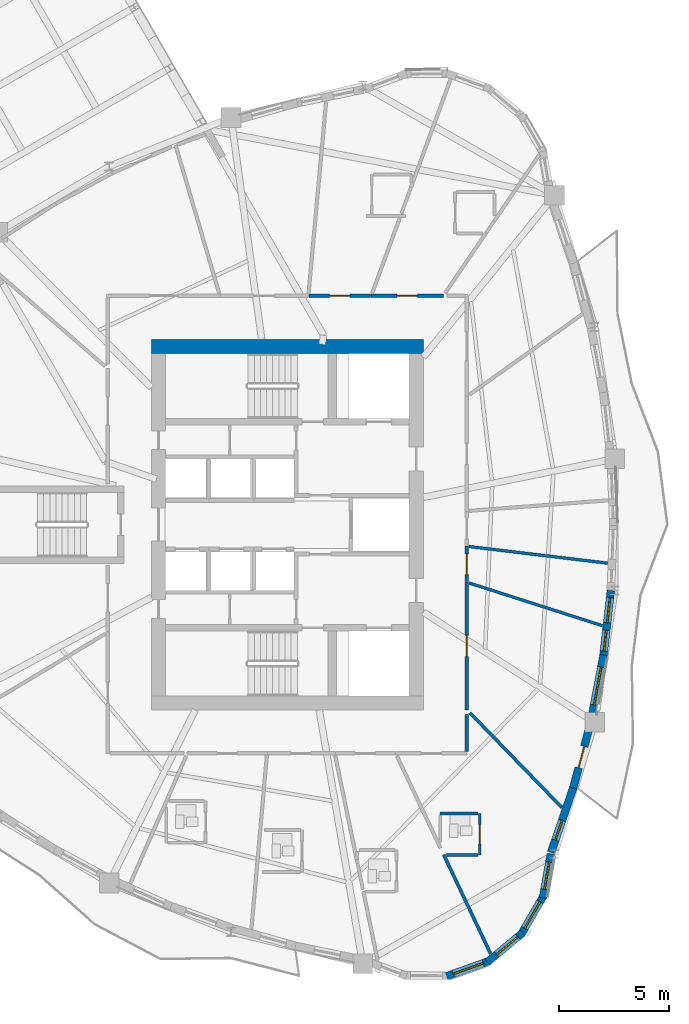
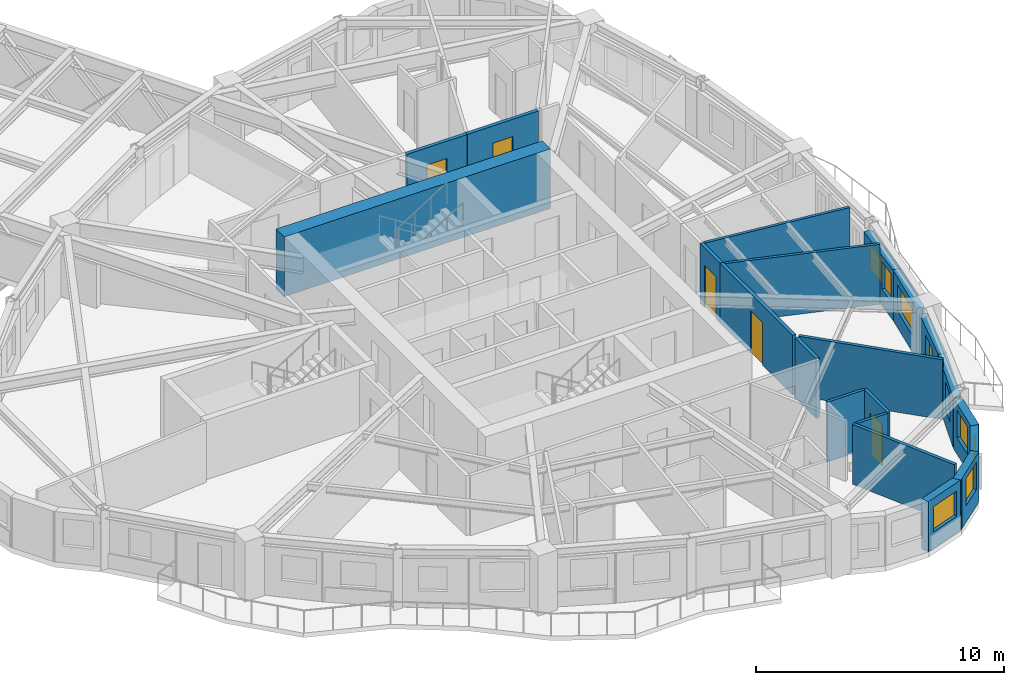
# One storey, part 8 of 14: 21 walls, 8 windows, 6 doors, 14 openings.
"""IFC4 building model written with IfcOpenShell, lengths in metres."""

import ifcopenshell
import ifcopenshell.guid

model = None  # the IFC model being written
_history = None  # IfcOwnerHistory: only IFC2X3 demands one
_inside = {}  # id of a spatial element -> (the spatial element, [elements in it])
_under = {}  # id of a project, library or spatial element -> (it, [spatial elements below it])
_declared = {}  # id of a project -> (the project, [libraries it declares])
_typed = {}  # id of a type object -> (the type object, [elements of that type])
_made_of = {}  # id of a material, layer set ... -> (it, [elements and type objects made of it])


def new_model(schema):
    """Start an empty IFC model of exactly this schema.

    Asked for "IFC4X3", IfcOpenShell would pick the latest addendum, in which some entities
    have other attributes; the version numbers below select the first issue.
    IFC2X3 requires an IfcOwnerHistory on every rooted entity: one is made here for all.
    """
    global model, _history
    if schema == "IFC4X3":
        model = ifcopenshell.file(schema_version=(4, 3, 0, 0))
    else:
        model = ifcopenshell.file(schema=schema)
    _inside.clear()
    _under.clear()
    _declared.clear()
    _typed.clear()
    _made_of.clear()
    _history = None
    if model.schema == "IFC2X3":
        org = make("IfcOrganization", Name="unknown")
        user = make(
            "IfcPersonAndOrganization",
            ThePerson=make("IfcPerson", FamilyName="unknown"),
            TheOrganization=org,
        )
        app = make(
            "IfcApplication",
            ApplicationDeveloper=org,
            Version="unknown",
            ApplicationFullName="unknown",
            ApplicationIdentifier="unknown",
        )
        _history = make(
            "IfcOwnerHistory",
            OwningUser=user,
            OwningApplication=app,
            ChangeAction="ADDED",
            CreationDate=0,
        )
    return model


def make(cls, **values):
    """One entity of the class cls with the attributes given. An attribute that is None is left unset."""
    return model.create_entity(
        cls, **{name: value for name, value in values.items() if value is not None}
    )


def rooted(cls, **values):
    """An entity with a GlobalId (a new one), such as an element, a storey or a relation."""
    return make(cls, GlobalId=ifcopenshell.guid.new(), OwnerHistory=_history, **values)


def si_unit(unit_type, name, prefix=None):
    """IfcSIUnit, for example si_unit("LENGTHUNIT", "METRE", prefix="MILLI")."""
    return make("IfcSIUnit", UnitType=unit_type, Prefix=prefix, Name=name)


def assignment(units):
    """IfcUnitAssignment: the units of a project."""
    return None if units is None else make("IfcUnitAssignment", Units=units)


def point(xyz):
    """IfcCartesianPoint."""
    return None if xyz is None else make("IfcCartesianPoint", Coordinates=xyz)


def direction(xyz):
    """IfcDirection."""
    return None if xyz is None else make("IfcDirection", DirectionRatios=xyz)


def frame(location, z_axis=None, x_axis=None):
    """IfcAxis2Placement3D, a coordinate frame: its origin and axes. An axis left out is left unset."""
    return make(
        "IfcAxis2Placement3D",
        Location=point(location),
        Axis=direction(z_axis),
        RefDirection=direction(x_axis),
    )


def frame_2d(location, x_axis=None):
    """IfcAxis2Placement2D, a coordinate frame in the plane: its origin and x axis."""
    return make(
        "IfcAxis2Placement2D", Location=point(location), RefDirection=direction(x_axis)
    )


def origin():
    """The frame at (0, 0, 0) with its axes left unset."""
    return frame((0.0, 0.0, 0.0))


def place(relative_to, where):
    """IfcLocalPlacement: puts the frame where relative to a parent placement (None: the world)."""
    return make(
        "IfcLocalPlacement", PlacementRelTo=relative_to, RelativePlacement=where
    )


def context(
    kind, dimensions, precision=None, world=None, true_north=None, identifier=None
):
    """IfcGeometricRepresentationContext, for example the 3D "Model" context."""
    return make(
        "IfcGeometricRepresentationContext",
        ContextIdentifier=identifier,
        ContextType=kind,
        CoordinateSpaceDimension=dimensions,
        Precision=precision,
        WorldCoordinateSystem=world,
        TrueNorth=true_north,
    )


def subcontext(parent, identifier, kind, view, scale=None):
    """IfcGeometricRepresentationSubContext, for example "Body" below "Model"."""
    return make(
        "IfcGeometricRepresentationSubContext",
        ContextIdentifier=identifier,
        ContextType=kind,
        ParentContext=parent,
        TargetScale=scale,
        TargetView=view,
    )


def project(units=None, contexts=None):
    """IfcProject with its units and contexts."""
    return rooted(
        "IfcProject",
        Name="project",
        RepresentationContexts=contexts,
        UnitsInContext=assignment(units),
    )


def spatial(cls, under=None, at=None, **own):
    """A site, building, storey or space (cls), placed at a placement, below another one or the project."""
    s = rooted(cls, ObjectPlacement=at, **own)
    if under is not None:
        _under.setdefault(under.id(), (under, []))[1].append(s)
    return s


def profile(cls, at=None, kind="AREA", **sizes):
    """A parametric profile (cls). Its sizes go by their IFC names, for example OverallWidth=200.0."""
    return make(cls, ProfileType=kind, Position=at, **sizes)


def rectangle(**sizes):
    """IfcRectangleProfileDef."""
    return profile("IfcRectangleProfileDef", **sizes)


def extrude(swept, where, along, depth):
    """IfcExtrudedAreaSolid: the profile swept, set in the frame where, extruded along a direction by depth."""
    return make(
        "IfcExtrudedAreaSolid",
        SweptArea=swept,
        Position=where,
        ExtrudedDirection=direction(along),
        Depth=depth,
    )


def shape(context_of_items, identifier, shape_type, items):
    """IfcShapeRepresentation: the items that make up one representation, for example the "Body"."""
    return make(
        "IfcShapeRepresentation",
        ContextOfItems=context_of_items,
        RepresentationIdentifier=identifier,
        RepresentationType=shape_type,
        Items=items,
    )


def source(mapping_origin, context_of_items, identifier, shape_type, items):
    """IfcRepresentationMap: a shape defined once, which mapped items show again and again."""
    return make(
        "IfcRepresentationMap",
        MappingOrigin=mapping_origin,
        MappedRepresentation=shape(context_of_items, identifier, shape_type, items),
    )


def transform(
    local_origin,
    x_axis=None,
    y_axis=None,
    z_axis=None,
    scale=None,
    scale2=None,
    scale3=None,
    uniform=True,
):
    """IfcCartesianTransformationOperator3D, or its non-uniform kind. x_axis, y_axis, z_axis: its Axis1, 2, 3."""
    if uniform:
        return make(
            "IfcCartesianTransformationOperator3D",
            Axis1=direction(x_axis),
            Axis2=direction(y_axis),
            LocalOrigin=point(local_origin),
            Scale=scale,
            Axis3=direction(z_axis),
        )
    return make(
        "IfcCartesianTransformationOperator3DnonUniform",
        Axis1=direction(x_axis),
        Axis2=direction(y_axis),
        LocalOrigin=point(local_origin),
        Scale=scale,
        Axis3=direction(z_axis),
        Scale2=scale2,
        Scale3=scale3,
    )


def mapped(mapping_source, mapping_target):
    """IfcMappedItem: shows the shape of a source again, moved by a transform."""
    return make(
        "IfcMappedItem", MappingSource=mapping_source, MappingTarget=mapping_target
    )


def material(Name=None, Category=None):
    """IfcMaterial."""
    return make("IfcMaterial", Name=Name, Category=Category)


def layer(
    of_material, thickness, ventilated=None, Name=None, Category=None, Priority=None
):
    """IfcMaterialLayer: one layer of a wall or slab, of a material (None: an air gap)."""
    return make(
        "IfcMaterialLayer",
        Material=of_material,
        LayerThickness=thickness,
        IsVentilated=ventilated,
        Name=Name,
        Category=Category,
        Priority=Priority,
    )


def layer_set(layers, Name=None):
    """IfcMaterialLayerSet."""
    return make("IfcMaterialLayerSet", MaterialLayers=layers, LayerSetName=Name)


def made_of(thing, what):
    """Note that an element or type object is made of a material, layer set ...; save() writes the relation."""
    if what is not None:
        _made_of.setdefault(what.id(), (what, []))[1].append(thing)
    return thing


def type_object(cls, material=None, **own):
    """A type object (cls), such as IfcWallType, which elements share."""
    return made_of(rooted(cls, **own), material)


def element(
    cls,
    number,
    at=None,
    inside=None,
    cuts=None,
    type_object=None,
    material=None,
    context=None,
    identifier="Body",
    shape_type=None,
    held_by="IfcProductDefinitionShape",
    body=None,
    shapes=None,
    **own,
):
    """One element of the class cls, such as IfcWall. Its Tag is "e" and its number.

    at: its placement. inside: the storey or other place that contains it. cuts: it is an
    opening in that element (IfcRelVoidsElement). A single representation is given by context,
    identifier, shape_type and body (its items); several are given by shapes. held_by: the class
    of the entity that holds the representations. save() writes the other relations.
    """
    e = rooted(cls, Tag="e%d" % number, ObjectPlacement=at, **own)
    if body is not None:
        shapes = [shape(context, identifier, shape_type, body)]
    if shapes is not None:
        e.Representation = make(held_by, Representations=shapes)
    if inside is not None:
        _inside.setdefault(inside.id(), (inside, []))[1].append(e)
    if cuts is not None:
        rooted(
            "IfcRelVoidsElement", RelatingBuildingElement=cuts, RelatedOpeningElement=e
        )
    if type_object is not None:
        _typed.setdefault(type_object.id(), (type_object, []))[1].append(e)
    return made_of(e, material)


def fill(opening, filler):
    """IfcRelFillsElement: the door or window that sits in an opening."""
    return rooted(
        "IfcRelFillsElement",
        RelatingOpeningElement=opening,
        RelatedBuildingElement=filler,
    )


def aggregate(whole, parts):
    """IfcRelAggregates: a whole, such as a stair, and the parts it consists of."""
    return rooted("IfcRelAggregates", RelatingObject=whole, RelatedObjects=parts)


def save(model, path):
    """Write the relations noted so far, then the file.

    IfcRelAggregates (storeys below a building ...), IfcRelContainedInSpatialStructure (elements
    in a storey), IfcRelDefinesByType, IfcRelAssociatesMaterial and IfcRelDeclares: one each for
    every whole, place, type object, material and project.
    """
    for whole, parts in _under.values():
        aggregate(whole, parts)
    for where, things in _inside.values():
        rooted(
            "IfcRelContainedInSpatialStructure",
            RelatedElements=things,
            RelatingStructure=where,
        )
    for kind, things in _typed.values():
        rooted("IfcRelDefinesByType", RelatedObjects=things, RelatingType=kind)
    for what, things in _made_of.values():
        rooted("IfcRelAssociatesMaterial", RelatedObjects=things, RelatingMaterial=what)
    for by, libraries in _declared.values():
        rooted("IfcRelDeclares", RelatingContext=by, RelatedDefinitions=libraries)
    model.write(path)


model = new_model("IFC4")

# Units and contexts
model_context = context("Model", 3, precision=1e-05, world=origin(), true_north=direction((0.0, 1.0)))
body_context = subcontext(model_context, "Body", "Model", "MODEL_VIEW")
ifc_project = project(units=[si_unit("LENGTHUNIT", "METRE"), si_unit("AREAUNIT", "SQUARE_METRE"), si_unit("VOLUMEUNIT", "CUBIC_METRE"), si_unit("PLANEANGLEUNIT", "RADIAN"), si_unit("MASSUNIT", "GRAM", prefix="KILO")], contexts=[model_context])

# Site, building, storey
site_placement = place(None, origin())
site = spatial("IfcSite", under=ifc_project, at=site_placement, CompositionType="ELEMENT")
building_placement = place(site_placement, origin())
building = spatial("IfcBuilding", under=site, at=building_placement, Name="Qafzar Sky-Pleat Residences", CompositionType="ELEMENT")
storey_placement = place(building_placement, frame((0.0, 0.0, 86.39990234375)))
storey = spatial("IfcBuildingStorey", under=building, at=storey_placement, Name="L25", CompositionType="ELEMENT", Elevation=86.39990234375)

# Wall, opening, door
ifc_material_1 = material(Name="Acoustic gypsum plasterboard partition", Category="gypsum")
ifc_layer_1 = layer(ifc_material_1, 0.159912109375)
ifc_layer_set_1 = layer_set([ifc_layer_1], Name="Acoustic gypsum plasterboard partition")
wall_type_1 = type_object("IfcWallType", Name="PART-COR-160", PredefinedType="PARTITIONING", material=ifc_layer_set_1)
wall_1_placement = place(storey_placement, frame((38.530029296875, 23.39208984375, 0.0), z_axis=(0.0, 0.0, 1.0), x_axis=(0.0, -1.0, 0.0)))
wall_1 = element("IfcWall", 1, at=wall_1_placement, inside=storey, type_object=wall_type_1, Name="L25 Partition Wall PART-L25-PW-002", PredefinedType="PARTITIONING", context=body_context, shape_type="SweptSolid", body=[
    extrude(rectangle(XDim=5.843017578125, YDim=0.159912109375, at=frame_2d((2.92138671875, 0.0))), origin(), (0.0, 0.0, 1.0), 2.9501953125),
])
opening_1_placement = place(wall_1_placement, frame((2.4384765625, 0.0, 0.0)))
opening_1 = element("IfcOpeningElement", 2, at=opening_1_placement, cuts=wall_1, Name="Opening ID-06", PredefinedType="OPENING", context=body_context, shape_type="SweptSolid", body=[
    extrude(rectangle(XDim=0.9599609375, YDim=2.10009765625, at=frame_2d((0.47998046875, 1.050048828125))), frame((0.0, 0.08984375, 0.0), z_axis=(0.0, -1.0, 0.0), x_axis=(1.0, 0.0, 0.0)), (0.0, 0.0, 1.0), 0.179931640625),
])
ifc_material_2 = material(Name="Timber-faced fire door", Category="wood")
door_type_1 = type_object("IfcDoorType", Name="DR-STD-960", OperationType="NOTDEFINED", PredefinedType="DOOR", material=ifc_material_2)
shared_shape_1 = source(origin(), body_context, "Body", "SweptSolid", [
    extrude(rectangle(XDim=0.9599609375, YDim=2.10009765625, at=frame_2d((0.47998046875, 1.050048828125))), frame((0.0, 0.02490234375, 0.0), z_axis=(0.0, -1.0, 0.0), x_axis=(1.0, 0.0, 0.0)), (0.0, 0.0, 1.0), 0.050048828125),
])
door_1_placement = place(opening_1_placement, origin())
door_1 = element("IfcDoor", 3, at=door_1_placement, inside=storey, type_object=door_type_1, Name="L25 Postdoctoral Admin Office Door", OperationType="SINGLE_SWING_RIGHT", OverallHeight=2.10009765625, OverallWidth=0.9599609375, PredefinedType="DOOR", context=body_context, shape_type="MappedRepresentation", body=[
    mapped(shared_shape_1, transform((0.0, 0.0, 0.0), x_axis=(1.0, 0.0, 0.0), y_axis=(0.0, 1.0, 0.0), z_axis=(0.0, 0.0, 1.0), scale=1.0)),
])
fill(opening_1, door_1)

wall_2_placement = place(storey_placement, frame((34.156005859375, 36.429931640625, 0.0), z_axis=(0.0, 0.0, 1.0), x_axis=(1.0, 0.0, 0.0)))
wall_2 = element("IfcWall", 4, at=wall_2_placement, inside=storey, type_object=wall_type_1, Name="L25 Partition Wall PART-L25-PW-010", PredefinedType="PARTITIONING", context=body_context, shape_type="SweptSolid", body=[
    extrude(rectangle(XDim=3.31591796875, YDim=0.159912109375, at=frame_2d((1.657958984375, 0.0))), origin(), (0.0, 0.0, 1.0), 2.9501953125),
])
opening_2_placement = place(wall_2_placement, frame((1.197021484375, 0.0, 0.0)))
opening_2 = element("IfcOpeningElement", 5, at=opening_2_placement, cuts=wall_2, Name="Opening ID-04", PredefinedType="OPENING", context=body_context, shape_type="SweptSolid", body=[
    extrude(rectangle(XDim=0.919921875, YDim=2.10009765625, at=frame_2d((0.4599609375, 1.050048828125))), frame((0.0, 0.08984375, 0.0), z_axis=(0.0, -1.0, 0.0), x_axis=(1.0, 0.0, 0.0)), (0.0, 0.0, 1.0), 0.179931640625),
])
door_type_2 = type_object("IfcDoorType", Name="DR-BED-920", OperationType="NOTDEFINED", PredefinedType="DOOR", material=ifc_material_2)
shared_shape_2 = source(origin(), body_context, "Body", "SweptSolid", [
    extrude(rectangle(XDim=0.919921875, YDim=2.10009765625, at=frame_2d((0.4599609375, 1.050048828125))), frame((0.0, 0.02490234375, 0.0), z_axis=(0.0, -1.0, 0.0), x_axis=(1.0, 0.0, 0.0)), (0.0, 0.0, 1.0), 0.050048828125),
])
door_2_placement = place(opening_2_placement, origin())
door_2 = element("IfcDoor", 6, at=door_2_placement, inside=storey, type_object=door_type_2, Name="L25 Co-Living Bedroom 5 Door", OperationType="SINGLE_SWING_LEFT", OverallHeight=2.10009765625, OverallWidth=0.919921875, PredefinedType="DOOR", context=body_context, shape_type="MappedRepresentation", body=[
    mapped(shared_shape_2, transform((0.0, 0.0, 0.0), x_axis=(1.0, 0.0, 0.0), y_axis=(0.0, 1.0, 0.0), z_axis=(0.0, 0.0, 1.0), scale=1.0)),
])
fill(opening_2, door_2)

wall_3_placement = place(storey_placement, frame((31.3349609375, 36.429931640625, 0.0), z_axis=(0.0, 0.0, 1.0), x_axis=(1.0, 0.0, 0.0)))
wall_3 = element("IfcWall", 7, at=wall_3_placement, inside=storey, type_object=wall_type_1, Name="L25 Partition Wall PART-L25-PW-015", PredefinedType="PARTITIONING", context=body_context, shape_type="SweptSolid", body=[
    extrude(rectangle(XDim=2.80615234375, YDim=0.159912109375, at=frame_2d((1.403076171875, 0.0))), origin(), (0.0, 0.0, 1.0), 2.9501953125),
])
opening_3_placement = place(wall_3_placement, frame((0.943603515625, 0.0, 0.0)))
opening_3 = element("IfcOpeningElement", 8, at=opening_3_placement, cuts=wall_3, Name="Opening ID-04", PredefinedType="OPENING", context=body_context, shape_type="SweptSolid", body=[
    extrude(rectangle(XDim=0.919921875, YDim=2.10009765625, at=frame_2d((0.4599609375, 1.050048828125))), frame((0.0, 0.08984375, 0.0), z_axis=(0.0, -1.0, 0.0), x_axis=(1.0, 0.0, 0.0)), (0.0, 0.0, 1.0), 0.179931640625),
])
door_3_placement = place(opening_3_placement, origin())
door_3 = element("IfcDoor", 9, at=door_3_placement, inside=storey, type_object=door_type_2, Name="L25 Co-Living Bedroom 6 Door", OperationType="SINGLE_SWING_LEFT", OverallHeight=2.10009765625, OverallWidth=0.919921875, PredefinedType="DOOR", context=body_context, shape_type="MappedRepresentation", body=[
    mapped(shared_shape_2, transform((0.0, 0.0, 0.0), x_axis=(1.0, 0.0, 0.0), y_axis=(0.0, 1.0, 0.0), z_axis=(0.0, 0.0, 1.0), scale=1.0)),
])
fill(opening_3, door_3)

wall_4_placement = place(storey_placement, frame((38.530029296875, 25.031982421875, 0.0), z_axis=(0.0, 0.0, 1.0), x_axis=(0.0, -1.0, 0.0)))
wall_4 = element("IfcWall", 10, at=wall_4_placement, inside=storey, type_object=wall_type_1, Name="L25 Partition Wall PART-L25-PW-023", PredefinedType="PARTITIONING", context=body_context, shape_type="SweptSolid", body=[
    extrude(rectangle(XDim=1.625, YDim=0.159912109375, at=frame_2d((0.8125, 0.0))), origin(), (0.0, 0.0, 1.0), 2.9501953125),
])
opening_4_placement = place(wall_4_placement, frame((0.360595703125, 0.0, 0.0)))
opening_4 = element("IfcOpeningElement", 11, at=opening_4_placement, cuts=wall_4, Name="Opening ID-08", PredefinedType="OPENING", context=body_context, shape_type="SweptSolid", body=[
    extrude(rectangle(XDim=0.949951171875, YDim=2.10009765625, at=frame_2d((0.47509765625, 1.050048828125))), frame((0.0, 0.08984375, 0.0), z_axis=(0.0, -1.0, 0.0), x_axis=(1.0, 0.0, 0.0)), (0.0, 0.0, 1.0), 0.179931640625),
])
door_type_3 = type_object("IfcDoorType", Name="DR-AWC-950", OperationType="NOTDEFINED", PredefinedType="DOOR", material=ifc_material_2)
shared_shape_3 = source(origin(), body_context, "Body", "SweptSolid", [
    extrude(rectangle(XDim=0.949951171875, YDim=2.10009765625, at=frame_2d((0.47509765625, 1.050048828125))), frame((0.0, 0.02490234375, 0.0), z_axis=(0.0, -1.0, 0.0), x_axis=(1.0, 0.0, 0.0)), (0.0, 0.0, 1.0), 0.050048828125),
])
door_4_placement = place(opening_4_placement, origin())
door_4 = element("IfcDoor", 12, at=door_4_placement, inside=storey, type_object=door_type_3, Name="L25 Accessible Shared Washroom Door", OperationType="SINGLE_SWING_LEFT", OverallHeight=2.10009765625, OverallWidth=0.949951171875, PredefinedType="DOOR", context=body_context, shape_type="MappedRepresentation", body=[
    mapped(shared_shape_3, transform((0.0, 0.0, 0.0), x_axis=(1.0, 0.0, 0.0), y_axis=(0.0, 1.0, 0.0), z_axis=(0.0, 0.0, 1.0), scale=1.0)),
])
fill(opening_4, door_4)

# Walls
wall_5_placement = place(storey_placement, frame((38.530029296875, 15.657958984375, 0.0), z_axis=(0.0, 0.0, 1.0), x_axis=(0.0, 1.0, 0.0)))
element("IfcWall", 13, at=wall_5_placement, inside=storey, type_object=wall_type_1, Name="L25 Partition Wall PART-L25-PW-049", PredefinedType="PARTITIONING", context=body_context, shape_type="SweptSolid", body=[
    extrude(rectangle(XDim=1.681640625, YDim=0.159912109375, at=frame_2d((0.8408203125, 0.0))), origin(), (0.0, 0.0, 1.0), 2.9501953125),
])
ifc_layer_2 = layer(ifc_material_1, 0.14501953125)
ifc_layer_set_2 = layer_set([ifc_layer_2], Name="Acoustic gypsum plasterboard partition")
wall_type_2 = type_object("IfcWallType", Name="PART-UNIT-145", PredefinedType="PARTITIONING", material=ifc_layer_set_2)
wall_6_placement = place(storey_placement, frame((38.66748046875, 17.42919921875, 0.0), z_axis=(0.0, 0.0, 1.0), x_axis=(0.696417222112, -0.717637131666, 0.0)))
element("IfcWall", 14, at=wall_6_placement, inside=storey, type_object=wall_type_2, Name="L25 Partition Wall PART-L25-PW-036", PredefinedType="PARTITIONING", context=body_context, shape_type="SweptSolid", body=[
    extrude(rectangle(XDim=6.040283203125, YDim=0.14501953125, at=frame_2d((3.02001953125, 0.0))), origin(), (0.0, 0.0, 1.0), 2.9501953125),
])
wall_7_placement = place(storey_placement, frame((37.47607421875, 10.9541015625, 0.0), z_axis=(0.0, 0.0, 1.0), x_axis=(0.428094746621, -0.903733859007, 0.0)))
element("IfcWall", 15, at=wall_7_placement, inside=storey, type_object=wall_type_2, Name="L25 Partition Wall PART-L25-PW-039", PredefinedType="PARTITIONING", context=body_context, shape_type="SweptSolid", body=[
    extrude(rectangle(XDim=4.996337890625, YDim=0.14501953125, at=frame_2d((2.498046875, 0.0))), origin(), (0.0, 0.0, 1.0), 2.9501953125),
])

# Wall, opening, door
ifc_material_3 = material(Name="Moisture-resistant gypsum partition", Category="gypsum")
ifc_layer_3 = layer(ifc_material_3, 0.1298828125)
ifc_layer_set_3 = layer_set([ifc_layer_3], Name="Moisture-resistant gypsum partition")
wall_type_3 = type_object("IfcWallType", Name="PART-WET-130", PredefinedType="PARTITIONING", material=ifc_layer_set_3)
wall_8_placement = place(storey_placement, frame((39.116943359375, 10.93896484375, 0.0), z_axis=(0.0, 0.0, 1.0), x_axis=(0.0, 1.0, 0.0)))
wall_8 = element("IfcWall", 16, at=wall_8_placement, inside=storey, type_object=wall_type_3, Name="L25 Partition Wall PART-L25-PW-020", PredefinedType="PARTITIONING", context=body_context, shape_type="SweptSolid", body=[
    extrude(rectangle(XDim=1.900146484375, YDim=0.1298828125, at=frame_2d((0.9501953125, 0.0))), origin(), (0.0, 0.0, 1.0), 2.9501953125),
])
opening_5_placement = place(wall_8_placement, frame((0.510009765625, 0.0, 0.0)))
opening_5 = element("IfcOpeningElement", 17, at=opening_5_placement, cuts=wall_8, Name="Opening ID-07", PredefinedType="OPENING", context=body_context, shape_type="SweptSolid", body=[
    extrude(rectangle(XDim=0.8798828125, YDim=2.050048828125, at=frame_2d((0.43994140625, 1.02490234375))), frame((0.0, 0.074951171875, 0.0), z_axis=(0.0, -1.0, 0.0), x_axis=(1.0, 0.0, 0.0)), (0.0, 0.0, 1.0), 0.14990234375),
])
door_type_4 = type_object("IfcDoorType", Name="DR-WET-880", OperationType="NOTDEFINED", PredefinedType="DOOR", material=ifc_material_2)
shared_shape_4 = source(origin(), body_context, "Body", "SweptSolid", [
    extrude(rectangle(XDim=0.8798828125, YDim=2.050048828125, at=frame_2d((0.43994140625, 1.02490234375))), frame((0.0, 0.02490234375, 0.0), z_axis=(0.0, -1.0, 0.0), x_axis=(1.0, 0.0, 0.0)), (0.0, 0.0, 1.0), 0.050048828125),
])
door_5_placement = place(opening_5_placement, origin())
door_5 = element("IfcDoor", 18, at=door_5_placement, inside=storey, type_object=door_type_4, Name="L25 En-suite Bathroom 4 Door", OperationType="SINGLE_SWING_RIGHT", OverallHeight=2.050048828125, OverallWidth=0.8798828125, PredefinedType="DOOR", context=body_context, shape_type="MappedRepresentation", body=[
    mapped(shared_shape_4, transform((0.0, 0.0, 0.0), x_axis=(1.0, 0.0, 0.0), y_axis=(0.0, 1.0, 0.0), z_axis=(0.0, 0.0, 1.0), scale=1.0)),
])
fill(opening_5, door_5)

# Walls
wall_9_placement = place(storey_placement, frame((38.637451171875, 23.341552734375, 0.0), z_axis=(0.0, 0.0, 1.0), x_axis=(0.952253923936, -0.305307163933, 0.0)))
element("IfcWall", 19, at=wall_9_placement, inside=storey, type_object=wall_type_3, Name="L25 Partition Wall PART-L25-PW-031", PredefinedType="PARTITIONING", context=body_context, shape_type="SweptSolid", body=[
    extrude(rectangle(XDim=6.383544921875, YDim=0.1298828125, at=frame_2d((3.19189453125, 0.0))), origin(), (0.0, 0.0, 1.0), 2.9501953125),
])
wall_10_placement = place(storey_placement, frame((38.625732421875, 25.005615234375, 0.0), z_axis=(0.0, 0.0, 1.0), x_axis=(0.992837647249, -0.11947136144, 0.0)))
element("IfcWall", 20, at=wall_10_placement, inside=storey, type_object=wall_type_3, Name="L25 Partition Wall PART-L25-PW-034", PredefinedType="PARTITIONING", context=body_context, shape_type="SweptSolid", body=[
    extrude(rectangle(XDim=6.375732421875, YDim=0.1298828125, at=frame_2d((3.18798828125, 0.0))), origin(), (0.0, 0.0, 1.0), 2.9501953125),
])
wall_11_placement = place(storey_placement, frame((37.31689453125, 12.839111328125, 0.0), z_axis=(0.0, 0.0, 1.0), x_axis=(1.0, 0.0, 0.0)))
element("IfcWall", 21, at=wall_11_placement, inside=storey, type_object=wall_type_3, Name="L25 Partition Wall PART-L25-PW-055", PredefinedType="PARTITIONING", context=body_context, shape_type="SweptSolid", body=[
    extrude(rectangle(XDim=1.72705078125, YDim=0.1298828125, at=frame_2d((0.863525390625, 0.0))), origin(), (0.0, 0.0, 1.0), 2.9501953125),
])
wall_12_placement = place(storey_placement, frame((37.60205078125, 10.93896484375, 0.0), z_axis=(0.0, 0.0, 1.0), x_axis=(1.0, 0.0, 0.0)))
element("IfcWall", 22, at=wall_12_placement, inside=storey, type_object=wall_type_3, Name="L25 Partition Wall PART-L25-PW-059", PredefinedType="PARTITIONING", context=body_context, shape_type="SweptSolid", body=[
    extrude(rectangle(XDim=1.44189453125, YDim=0.1298828125, at=frame_2d((0.720947265625, 0.0))), origin(), (0.0, 0.0, 1.0), 2.9501953125),
])

# Wall, opening, window
ifc_material_4 = material(Name="Precast concrete C40/50 with honed Riyadh limestone", Category="concrete")
ifc_layer_4 = layer(ifc_material_4, 0.35009765625)
ifc_layer_set_4 = layer_set([ifc_layer_4], Name="Precast concrete C40/50 with honed Riyadh limestone")
wall_type_4 = type_object("IfcWallType", Name="WALL-EXT-350", PredefinedType="SOLIDWALL", material=ifc_layer_set_4)
wall_13_placement = place(storey_placement, frame((37.6103515625, 5.4150390625, 0.0), z_axis=(0.0, 0.0, 1.0), x_axis=(0.941473186867, 0.33708787936, 0.0)))
wall_13 = element("IfcWall", 23, at=wall_13_placement, inside=storey, type_object=wall_type_4, Name="L25 Limestone Facade Wall 19", PredefinedType="SOLIDWALL", context=body_context, shape_type="SweptSolid", body=[
    extrude(rectangle(XDim=2.098876953125, YDim=0.35009765625, at=frame_2d((1.04931640625, 0.0))), origin(), (0.0, 0.0, 1.0), 2.47998046875),
])
opening_6_placement = place(wall_13_placement, frame((0.324462890625, 0.0, 0.820068359375)))
opening_6 = element("IfcOpeningElement", 24, at=opening_6_placement, cuts=wall_13, Name="Opening WN-15", PredefinedType="OPENING", context=body_context, shape_type="SweptSolid", body=[
    extrude(rectangle(XDim=1.449951171875, YDim=1.25, at=frame_2d((0.72509765625, 0.625))), frame((0.0, 0.18505859375, 0.0), z_axis=(0.0, -1.0, 0.0), x_axis=(1.0, 0.0, 0.0)), (0.0, 0.0, 1.0), 0.3701171875),
])
ifc_material_5 = material(Name="Solar-control low-E glass in bronze aluminium frame", Category="glass")
window_type_1 = type_object("IfcWindowType", Name="WIN-15", PartitioningType="SINGLE_PANEL", PredefinedType="WINDOW", material=ifc_material_5)
shared_shape_5 = source(origin(), body_context, "Body", "SweptSolid", [
    extrude(rectangle(XDim=1.449951171875, YDim=1.25, at=frame_2d((0.72509765625, 0.625))), frame((0.0, 0.030029296875, 0.0), z_axis=(0.0, -1.0, 0.0), x_axis=(1.0, 0.0, 0.0)), (0.0, 0.0, 1.0), 0.06005859375),
])
window_1_placement = place(opening_6_placement, origin())
window_1 = element("IfcWindow", 25, at=window_1_placement, inside=storey, type_object=window_type_1, Name="L25 Punched Facade Window 19", OverallHeight=1.25, OverallWidth=1.449951171875, PartitioningType="SINGLE_PANEL", PredefinedType="WINDOW", context=body_context, shape_type="MappedRepresentation", body=[
    mapped(shared_shape_5, transform((0.0, 0.0, 0.0), x_axis=(1.0, 0.0, 0.0), y_axis=(0.0, 1.0, 0.0), z_axis=(0.0, 0.0, 1.0), scale=1.0)),
])
fill(opening_6, window_1)

wall_14_placement = place(storey_placement, frame((39.468505859375, 6.05517578125, 0.0), z_axis=(0.0, 0.0, 1.0), x_axis=(0.768497696041, 0.639852554249, 0.0)))
wall_14 = element("IfcWall", 26, at=wall_14_placement, inside=storey, type_object=wall_type_4, Name="L25 Limestone Facade Wall 20", PredefinedType="SOLIDWALL", context=body_context, shape_type="SweptSolid", body=[
    extrude(rectangle(XDim=2.098876953125, YDim=0.35009765625, at=frame_2d((1.04931640625, 0.0))), origin(), (0.0, 0.0, 1.0), 2.47998046875),
])
opening_7_placement = place(wall_14_placement, frame((0.558837890625, 0.0, 0.820068359375)))
opening_7 = element("IfcOpeningElement", 27, at=opening_7_placement, cuts=wall_14, Name="Opening WN-11", PredefinedType="OPENING", context=body_context, shape_type="SweptSolid", body=[
    extrude(rectangle(XDim=1.25, YDim=1.35009765625, at=frame_2d((0.625, 0.675048828125))), frame((0.0, 0.18505859375, 0.0), z_axis=(0.0, -1.0, 0.0), x_axis=(1.0, 0.0, 0.0)), (0.0, 0.0, 1.0), 0.3701171875),
])
window_type_2 = type_object("IfcWindowType", Name="WIN-11", PartitioningType="SINGLE_PANEL", PredefinedType="WINDOW", material=ifc_material_5)
shared_shape_6 = source(origin(), body_context, "Body", "SweptSolid", [
    extrude(rectangle(XDim=1.25, YDim=1.35009765625, at=frame_2d((0.625, 0.675048828125))), frame((0.0, 0.030029296875, 0.0), z_axis=(0.0, -1.0, 0.0), x_axis=(1.0, 0.0, 0.0)), (0.0, 0.0, 1.0), 0.06005859375),
])
window_2_placement = place(opening_7_placement, origin())
window_2 = element("IfcWindow", 28, at=window_2_placement, inside=storey, type_object=window_type_2, Name="L25 Punched Facade Window 20", OverallHeight=1.35009765625, OverallWidth=1.25, PartitioningType="SINGLE_PANEL", PredefinedType="WINDOW", context=body_context, shape_type="MappedRepresentation", body=[
    mapped(shared_shape_6, transform((0.0, 0.0, 0.0), x_axis=(1.0, 0.0, 0.0), y_axis=(0.0, 1.0, 0.0), z_axis=(0.0, 0.0, 1.0), scale=1.0)),
])
fill(opening_7, window_2)

wall_15_placement = place(storey_placement, frame((40.993896484375, 7.29443359375, 0.0), z_axis=(0.0, 0.0, 1.0), x_axis=(0.501902596059, 0.864924149315, 0.0)))
wall_15 = element("IfcWall", 29, at=wall_15_placement, inside=storey, type_object=wall_type_4, Name="L25 Limestone Facade Wall 21", PredefinedType="SOLIDWALL", context=body_context, shape_type="SweptSolid", body=[
    extrude(rectangle(XDim=2.098876953125, YDim=0.35009765625, at=frame_2d((1.04931640625, 0.0))), origin(), (0.0, 0.0, 1.0), 2.47998046875),
])
opening_8_placement = place(wall_15_placement, frame((0.349609375, 0.0, 0.820068359375)))
opening_8 = element("IfcOpeningElement", 30, at=opening_8_placement, cuts=wall_15, Name="Opening WN-10", PredefinedType="OPENING", context=body_context, shape_type="SweptSolid", body=[
    extrude(rectangle(XDim=1.39990234375, YDim=1.35009765625, at=frame_2d((0.699951171875, 0.675048828125))), frame((0.0, 0.18505859375, 0.0), z_axis=(0.0, -1.0, 0.0), x_axis=(1.0, 0.0, 0.0)), (0.0, 0.0, 1.0), 0.3701171875),
])
window_type_3 = type_object("IfcWindowType", Name="WIN-10", PartitioningType="SINGLE_PANEL", PredefinedType="WINDOW", material=ifc_material_5)
shared_shape_7 = source(origin(), body_context, "Body", "SweptSolid", [
    extrude(rectangle(XDim=1.39990234375, YDim=1.35009765625, at=frame_2d((0.699951171875, 0.675048828125))), frame((0.0, 0.030029296875, 0.0), z_axis=(0.0, -1.0, 0.0), x_axis=(1.0, 0.0, 0.0)), (0.0, 0.0, 1.0), 0.06005859375),
])
window_3_placement = place(opening_8_placement, origin())
window_3 = element("IfcWindow", 31, at=window_3_placement, inside=storey, type_object=window_type_3, Name="L25 Punched Facade Window 21", OverallHeight=1.35009765625, OverallWidth=1.39990234375, PartitioningType="SINGLE_PANEL", PredefinedType="WINDOW", context=body_context, shape_type="MappedRepresentation", body=[
    mapped(shared_shape_7, transform((0.0, 0.0, 0.0), x_axis=(1.0, 0.0, 0.0), y_axis=(0.0, 1.0, 0.0), z_axis=(0.0, 0.0, 1.0), scale=1.0)),
])
fill(opening_8, window_3)

wall_16_placement = place(storey_placement, frame((42.000732421875, 8.982177734375, 0.0), z_axis=(0.0, 0.0, 1.0), x_axis=(0.174419977077, 0.984671352075, 0.0)))
wall_16 = element("IfcWall", 32, at=wall_16_placement, inside=storey, type_object=wall_type_4, Name="L25 Limestone Facade Wall 22", PredefinedType="SOLIDWALL", context=body_context, shape_type="SweptSolid", body=[
    extrude(rectangle(XDim=2.040771484375, YDim=0.35009765625, at=frame_2d((1.0205078125, 0.0))), origin(), (0.0, 0.0, 1.0), 2.47998046875),
])
opening_9_placement = place(wall_16_placement, frame((0.405517578125, 0.0, 0.820068359375)))
opening_9 = element("IfcOpeningElement", 33, at=opening_9_placement, cuts=wall_16, Name="Opening WN-11", PredefinedType="OPENING", context=body_context, shape_type="SweptSolid", body=[
    extrude(rectangle(XDim=1.25, YDim=1.35009765625, at=frame_2d((0.625, 0.675048828125))), frame((0.0, 0.18505859375, 0.0), z_axis=(0.0, -1.0, 0.0), x_axis=(1.0, 0.0, 0.0)), (0.0, 0.0, 1.0), 0.3701171875),
])
window_4_placement = place(opening_9_placement, origin())
window_4 = element("IfcWindow", 34, at=window_4_placement, inside=storey, type_object=window_type_2, Name="L25 Punched Facade Window 22", OverallHeight=1.35009765625, OverallWidth=1.25, PartitioningType="SINGLE_PANEL", PredefinedType="WINDOW", context=body_context, shape_type="MappedRepresentation", body=[
    mapped(shared_shape_6, transform((0.0, 0.0, 0.0), x_axis=(1.0, 0.0, 0.0), y_axis=(0.0, 1.0, 0.0), z_axis=(0.0, 0.0, 1.0), scale=1.0)),
])
fill(opening_9, window_4)

wall_17_placement = place(storey_placement, frame((42.373291015625, 11.056640625, 0.0), z_axis=(0.0, 0.0, 1.0), x_axis=(0.323628226775, 0.946184321808, 0.0)))
wall_17 = element("IfcWall", 35, at=wall_17_placement, inside=storey, type_object=wall_type_4, Name="L25 Limestone Facade Wall 23", PredefinedType="SOLIDWALL", context=body_context, shape_type="SweptSolid", body=[
    extrude(rectangle(XDim=3.192626953125, YDim=0.35009765625, at=frame_2d((1.59619140625, 0.0))), origin(), (0.0, 0.0, 1.0), 2.47998046875),
])
opening_10_placement = place(wall_17_placement, frame((0.5947265625, 0.0, 0.820068359375)))
opening_10 = element("IfcOpeningElement", 36, at=opening_10_placement, cuts=wall_17, Name="Opening WN-12", PredefinedType="OPENING", context=body_context, shape_type="SweptSolid", body=[
    extrude(rectangle(XDim=0.949951171875, YDim=1.35009765625, at=frame_2d((0.47509765625, 0.675048828125))), frame((0.0, 0.18505859375, 0.0), z_axis=(0.0, -1.0, 0.0), x_axis=(1.0, 0.0, 0.0)), (0.0, 0.0, 1.0), 0.3701171875),
])
window_type_4 = type_object("IfcWindowType", Name="WIN-12", PartitioningType="SINGLE_PANEL", PredefinedType="WINDOW", material=ifc_material_5)
shared_shape_8 = source(origin(), body_context, "Body", "SweptSolid", [
    extrude(rectangle(XDim=0.949951171875, YDim=1.35009765625, at=frame_2d((0.47509765625, 0.675048828125))), frame((0.0, 0.030029296875, 0.0), z_axis=(0.0, -1.0, 0.0), x_axis=(1.0, 0.0, 0.0)), (0.0, 0.0, 1.0), 0.06005859375),
])
window_5_placement = place(opening_10_placement, origin())
window_5 = element("IfcWindow", 37, at=window_5_placement, inside=storey, type_object=window_type_4, Name="L25 Punched Facade Window 23", OverallHeight=1.35009765625, OverallWidth=0.949951171875, PartitioningType="SINGLE_PANEL", PredefinedType="WINDOW", context=body_context, shape_type="MappedRepresentation", body=[
    mapped(shared_shape_8, transform((0.0, 0.0, 0.0), x_axis=(1.0, 0.0, 0.0), y_axis=(0.0, 1.0, 0.0), z_axis=(0.0, 0.0, 1.0), scale=1.0)),
])
fill(opening_10, window_5)

# Wall, opening, door
wall_18_placement = place(storey_placement, frame((43.380859375, 13.9931640625, 0.0), z_axis=(0.0, 0.0, 1.0), x_axis=(0.257079998736, 0.966390125286, 0.0)))
wall_18 = element("IfcWall", 38, at=wall_18_placement, inside=storey, type_object=wall_type_4, Name="L25 Limestone Facade Wall 24", PredefinedType="SOLIDWALL", context=body_context, shape_type="SweptSolid", body=[
    extrude(rectangle(XDim=2.921142578125, YDim=0.35009765625, at=frame_2d((1.46044921875, 0.0))), origin(), (0.0, 0.0, 1.0), 2.47998046875),
])
opening_11_placement = place(wall_18_placement, frame((0.960693359375, 0.0, 0.0)))
opening_11 = element("IfcOpeningElement", 39, at=opening_11_placement, cuts=wall_18, Name="Opening ED-05", PredefinedType="OPENING", context=body_context, shape_type="SweptSolid", body=[
    extrude(rectangle(XDim=1.0, YDim=2.10009765625, at=frame_2d((0.5, 1.050048828125))), frame((0.0, 0.18505859375, 0.0), z_axis=(0.0, -1.0, 0.0), x_axis=(1.0, 0.0, 0.0)), (0.0, 0.0, 1.0), 0.3701171875),
])
ifc_material_6 = material(Name="Glazed bronze aluminium door", Category="aluminium")
door_type_5 = type_object("IfcDoorType", Name="DR-BAL-1000", OperationType="NOTDEFINED", PredefinedType="DOOR", material=ifc_material_6)
shared_shape_9 = source(origin(), body_context, "Body", "SweptSolid", [
    extrude(rectangle(XDim=1.0, YDim=2.10009765625, at=frame_2d((0.5, 1.050048828125))), frame((0.0, 0.02490234375, 0.0), z_axis=(0.0, -1.0, 0.0), x_axis=(1.0, 0.0, 0.0)), (0.0, 0.0, 1.0), 0.050048828125),
])
door_6_placement = place(opening_11_placement, origin())
door_6 = element("IfcDoor", 40, at=door_6_placement, inside=storey, type_object=door_type_5, Name="L25 Glazed Balcony Door 1", OperationType="SINGLE_SWING_LEFT", OverallHeight=2.10009765625, OverallWidth=1.0, PredefinedType="DOOR", context=body_context, shape_type="MappedRepresentation", body=[
    mapped(shared_shape_9, transform((0.0, 0.0, 0.0), x_axis=(1.0, 0.0, 0.0), y_axis=(0.0, 1.0, 0.0), z_axis=(0.0, 0.0, 1.0), scale=1.0)),
])
fill(opening_11, door_6)

# Wall, opening, window
wall_19_placement = place(storey_placement, frame((44.22900390625, 17.2421875, 0.0), z_axis=(0.0, 0.0, 1.0), x_axis=(0.186588413417, 0.982438173107, 0.0)))
wall_19 = element("IfcWall", 41, at=wall_19_placement, inside=storey, type_object=wall_type_4, Name="L25 Limestone Facade Wall 25", PredefinedType="SOLIDWALL", context=body_context, shape_type="SweptSolid", body=[
    extrude(rectangle(XDim=2.870849609375, YDim=0.35009765625, at=frame_2d((1.435546875, 0.0))), origin(), (0.0, 0.0, 1.0), 2.47998046875),
])
opening_12_placement = place(wall_19_placement, frame((0.555419921875, 0.0, 0.820068359375)))
opening_12 = element("IfcOpeningElement", 42, at=opening_12_placement, cuts=wall_19, Name="Opening WN-14", PredefinedType="OPENING", context=body_context, shape_type="SweptSolid", body=[
    extrude(rectangle(XDim=1.75, YDim=1.300048828125, at=frame_2d((0.875, 0.64990234375))), frame((0.0, 0.18505859375, 0.0), z_axis=(0.0, -1.0, 0.0), x_axis=(1.0, 0.0, 0.0)), (0.0, 0.0, 1.0), 0.3701171875),
])
window_type_5 = type_object("IfcWindowType", Name="WIN-14", PartitioningType="DOUBLE_PANEL_VERTICAL", PredefinedType="WINDOW", material=ifc_material_5)
shared_shape_10 = source(origin(), body_context, "Body", "SweptSolid", [
    extrude(rectangle(XDim=1.75, YDim=1.300048828125, at=frame_2d((0.875, 0.64990234375))), frame((0.0, 0.030029296875, 0.0), z_axis=(0.0, -1.0, 0.0), x_axis=(1.0, 0.0, 0.0)), (0.0, 0.0, 1.0), 0.06005859375),
])
window_6_placement = place(opening_12_placement, origin())
window_6 = element("IfcWindow", 43, at=window_6_placement, inside=storey, type_object=window_type_5, Name="L25 Punched Facade Window 25", OverallHeight=1.300048828125, OverallWidth=1.75, PartitioningType="SINGLE_PANEL", PredefinedType="WINDOW", context=body_context, shape_type="MappedRepresentation", body=[
    mapped(shared_shape_10, transform((0.0, 0.0, 0.0), x_axis=(1.0, 0.0, 0.0), y_axis=(0.0, 1.0, 0.0), z_axis=(0.0, 0.0, 1.0), scale=1.0)),
])
fill(opening_12, window_6)

# Wall, openings, windows
wall_20_placement = place(storey_placement, frame((44.751220703125, 19.974609375, 0.0), z_axis=(0.0, 0.0, 1.0), x_axis=(0.113356399423, 0.993554390413, 0.0)))
wall_20 = element("IfcWall", 44, at=wall_20_placement, inside=storey, type_object=wall_type_4, Name="L25 Limestone Facade Wall 26", PredefinedType="SOLIDWALL", context=body_context, shape_type="SweptSolid", body=[
    extrude(rectangle(XDim=3.041015625, YDim=0.35009765625, at=frame_2d((1.5205078125, 0.0))), origin(), (0.0, 0.0, 1.0), 2.47998046875),
])
opening_13_placement = place(wall_20_placement, frame((0.264404296875, 0.0, 0.820068359375)))
opening_13 = element("IfcOpeningElement", 45, at=opening_13_placement, cuts=wall_20, Name="Opening WN-12", PredefinedType="OPENING", context=body_context, shape_type="SweptSolid", body=[
    extrude(rectangle(XDim=0.949951171875, YDim=1.35009765625, at=frame_2d((0.47509765625, 0.675048828125))), frame((0.0, 0.18505859375, 0.0), z_axis=(0.0, -1.0, 0.0), x_axis=(1.0, 0.0, 0.0)), (0.0, 0.0, 1.0), 0.3701171875),
])
opening_14_placement = place(wall_20_placement, frame((1.574951171875, 0.0, 0.820068359375)))
opening_14 = element("IfcOpeningElement", 46, at=opening_14_placement, cuts=wall_20, Name="Opening WN-16", PredefinedType="OPENING", context=body_context, shape_type="SweptSolid", body=[
    extrude(rectangle(XDim=1.14990234375, YDim=1.199951171875, at=frame_2d((0.574951171875, 0.60009765625))), frame((0.0, 0.18505859375, 0.0), z_axis=(0.0, -1.0, 0.0), x_axis=(1.0, 0.0, 0.0)), (0.0, 0.0, 1.0), 0.3701171875),
])
window_7_placement = place(opening_13_placement, origin())
window_7 = element("IfcWindow", 47, at=window_7_placement, inside=storey, type_object=window_type_4, Name="L25 Punched Facade Window 26", OverallHeight=1.35009765625, OverallWidth=0.949951171875, PartitioningType="SINGLE_PANEL", PredefinedType="WINDOW", context=body_context, shape_type="MappedRepresentation", body=[
    mapped(shared_shape_8, transform((0.0, 0.0, 0.0), x_axis=(1.0, 0.0, 0.0), y_axis=(0.0, 1.0, 0.0), z_axis=(0.0, 0.0, 1.0), scale=1.0)),
])
fill(opening_13, window_7)
window_type_6 = type_object("IfcWindowType", Name="WIN-16", PartitioningType="SINGLE_PANEL", PredefinedType="WINDOW", material=ifc_material_5)
shared_shape_11 = source(origin(), body_context, "Body", "SweptSolid", [
    extrude(rectangle(XDim=1.14990234375, YDim=1.199951171875, at=frame_2d((0.574951171875, 0.60009765625))), frame((0.0, 0.030029296875, 0.0), z_axis=(0.0, -1.0, 0.0), x_axis=(1.0, 0.0, 0.0)), (0.0, 0.0, 1.0), 0.06005859375),
])
window_8_placement = place(opening_14_placement, origin())
window_8 = element("IfcWindow", 48, at=window_8_placement, inside=storey, type_object=window_type_6, Name="L25 Punched Facade Window 26-2", OverallHeight=1.199951171875, OverallWidth=1.14990234375, PartitioningType="SINGLE_PANEL", PredefinedType="WINDOW", context=body_context, shape_type="MappedRepresentation", body=[
    mapped(shared_shape_11, transform((0.0, 0.0, 0.0), x_axis=(1.0, 0.0, 0.0), y_axis=(0.0, 1.0, 0.0), z_axis=(0.0, 0.0, 1.0), scale=1.0)),
])
fill(opening_14, window_8)

# Wall
ifc_material_7 = material(Name="Concrete C60/75", Category="concrete")
ifc_layer_5 = layer(ifc_material_7, 0.64990234375)
ifc_layer_set_5 = layer_set([ifc_layer_5], Name="Concrete C60/75")
wall_type_5 = type_object("IfcWallType", Name="WALL-SHEAR-650", PredefinedType="SHEAR", material=ifc_layer_set_5)
wall_21_placement = place(storey_placement, frame((36.550048828125, 34.125, 0.0), z_axis=(0.0, 0.0, 1.0), x_axis=(-1.0, 0.0, 0.0)))
element("IfcWall", 49, at=wall_21_placement, inside=storey, type_object=wall_type_5, Name="L25 CORE wall N", PredefinedType="SHEAR", context=body_context, shape_type="SweptSolid", body=[
    extrude(rectangle(XDim=12.400146484375, YDim=0.64990234375, at=frame_2d((6.2001953125, 0.0))), origin(), (0.0, 0.0, 1.0), 2.9501953125),
])

save(model, "model.ifc")
